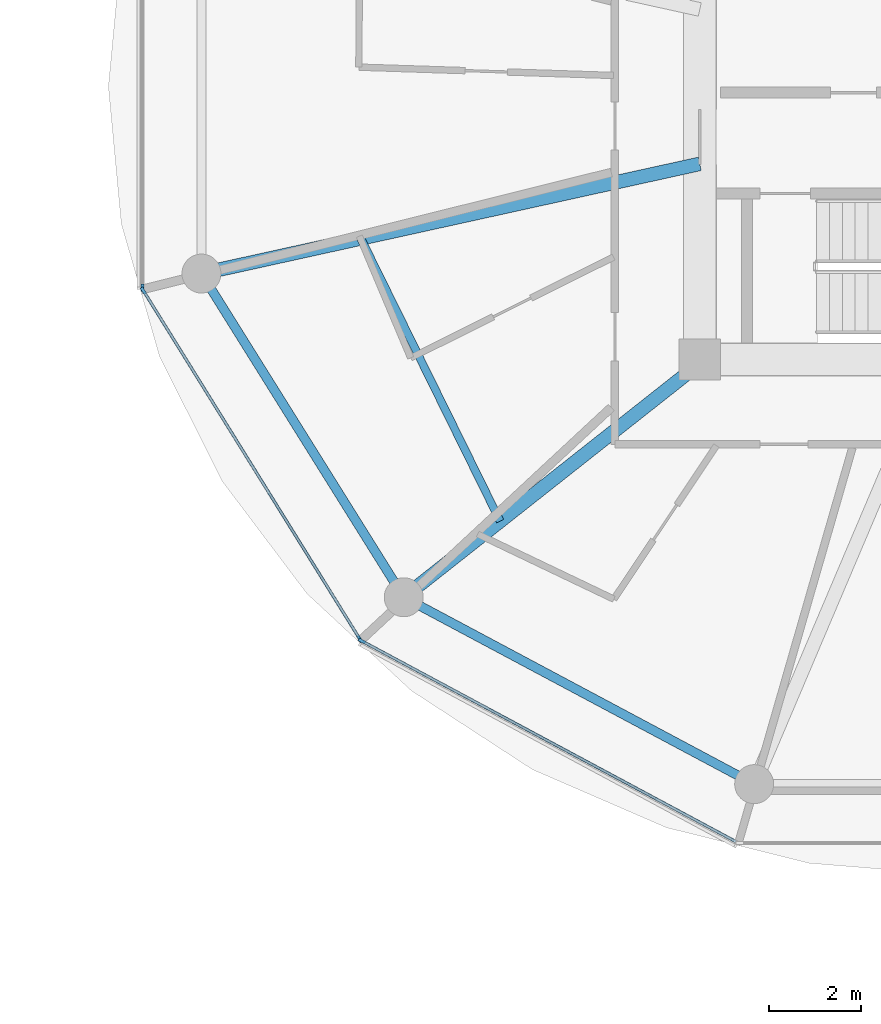
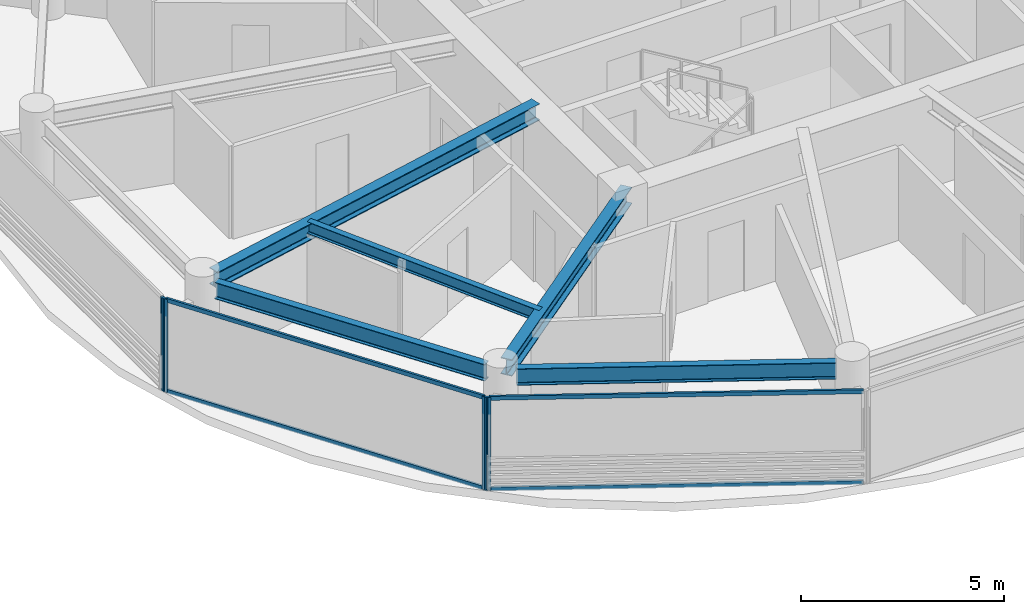
# One storey, part 6 of 24: 8 members, 5 beams, 3 elements without a shape of their own.
"""IFC4 building model written with IfcOpenShell, lengths in metres."""

from ifc_helpers import new_model, si_unit, direction, frame, origin, origin_2d, place, context, subcontext, project, spatial, rectangle, i_section, extrude, source, transform, mapped, material, layer, layer_set, material_profile, profile_set, type_object, type_shapes, element, aggregate, save


model = new_model("IFC4")

# Units and contexts
model_context = context("Model", 3, precision=1e-05, world=origin(), true_north=direction((0.0, 1.0)))
body_context = subcontext(model_context, "Body", "Model", "MODEL_VIEW")
ifc_project = project(units=[si_unit("LENGTHUNIT", "METRE"), si_unit("AREAUNIT", "SQUARE_METRE"), si_unit("VOLUMEUNIT", "CUBIC_METRE"), si_unit("PLANEANGLEUNIT", "RADIAN"), si_unit("MASSUNIT", "GRAM", prefix="KILO")], contexts=[model_context])

# Site, building, storey
site_placement = place(None, origin())
site = spatial("IfcSite", under=ifc_project, at=site_placement, CompositionType="ELEMENT")
building_placement = place(site_placement, origin())
building = spatial("IfcBuilding", under=site, at=building_placement, Name="Norrkilde Senior Care Towers", CompositionType="ELEMENT")
storey_placement = place(building_placement, frame((0.0, 0.0, 102.35009765625)))
storey = spatial("IfcBuildingStorey", under=building, at=storey_placement, Name="L31", CompositionType="ELEMENT", Elevation=102.35009765625)

# Beams
ifc_material_1 = material(Name="Steel S355", Category="steel")
ifc_material_profile_1 = material_profile(ifc_material_1, i_section(OverallWidth=0.199951171875, OverallDepth=0.5, WebThickness=0.01025390625, FlangeThickness=0.01611328125, FilletRadius=0.02099609375, at=origin_2d()), Name="IPE 500")
ifc_profile_set_1 = profile_set([ifc_material_profile_1], Name="Steel S355")
beam_type_1 = type_object("IfcBeamType", Name="Perimeter Ring Spandrel Z2 IPE500", PredefinedType="SPANDREL", material=ifc_profile_set_1)
shared_shape_1 = source(origin(), body_context, "Body", "SweptSolid", [
    extrude(i_section(OverallWidth=0.199951171875, OverallDepth=0.5, WebThickness=0.01025390625, FlangeThickness=0.01611328125, FilletRadius=0.02099609375, at=origin_2d()), origin(), (0.0, 0.0, 1.0), 7.55615234375),
])
beam_1_placement = place(storey_placement, frame((9.68505859375, -4.40283203125, 2.539794921875), z_axis=(0.529981514254, -0.848009194849, 0.0), x_axis=(0.848009194849, 0.529981514254, 0.0)))
element("IfcBeam", 1, at=beam_1_placement, inside=storey, type_object=beam_type_1, Name="L31 Drum E Perimeter Spandrel 07", PredefinedType="SPANDREL", context=body_context, shape_type="MappedRepresentation", body=[
    mapped(shared_shape_1, transform((0.0, 0.0, 0.0), x_axis=(1.0, 0.0, 0.0), y_axis=(0.0, 1.0, 0.0), z_axis=(0.0, 0.0, 1.0), scale=1.0)),
])
ifc_material_profile_2 = material_profile(ifc_material_1, i_section(OverallWidth=0.300048828125, OverallDepth=0.5, WebThickness=0.014404296875, FlangeThickness=0.028076171875, FilletRadius=0.027099609375, at=origin_2d()), Name="HEB 500")
ifc_profile_set_2 = profile_set([ifc_material_profile_2], Name="Steel S355")
beam_type_2 = type_object("IfcBeamType", Name="Radial Floor Beam Z2 HEB500", PredefinedType="BEAM", material=ifc_profile_set_2)
shared_shape_2 = source(origin(), body_context, "Body", "SweptSolid", [
    extrude(i_section(OverallWidth=0.300048828125, OverallDepth=0.5, WebThickness=0.014404296875, FlangeThickness=0.028076171875, FilletRadius=0.027099609375, at=origin_2d()), origin(), (0.0, 0.0, 1.0), 10.744384765625),
])
beam_2_placement = place(storey_placement, frame((20.35009765625, -1.683837890625, 2.539794921875), z_axis=(-0.976618711422, -0.214978818724, 0.0), x_axis=(0.214978818724, -0.976618711422, 0.0)))
element("IfcBeam", 2, at=beam_2_placement, inside=storey, type_object=beam_type_2, Name="L31 Drum E Radial Floor Beam 07", PredefinedType="BEAM", context=body_context, shape_type="MappedRepresentation", body=[
    mapped(shared_shape_2, transform((0.0, 0.0, 0.0), x_axis=(1.0, 0.0, 0.0), y_axis=(0.0, 1.0, 0.0), z_axis=(0.0, 0.0, 1.0), scale=1.0)),
])
shared_shape_3 = source(origin(), body_context, "Body", "SweptSolid", [
    extrude(i_section(OverallWidth=0.199951171875, OverallDepth=0.5, WebThickness=0.01025390625, FlangeThickness=0.01611328125, FilletRadius=0.02099609375, at=origin_2d()), origin(), (0.0, 0.0, 1.0), 7.892333984375),
])
type_shapes(beam_type_1, [shared_shape_1, shared_shape_3])
beam_3_placement = place(storey_placement, frame((14.233642578125, -11.318115234375, 2.539794921875), z_axis=(0.882350372282, -0.47059305194, 0.0), x_axis=(0.47059305194, 0.882350372282, 0.0)))
element("IfcBeam", 3, at=beam_3_placement, inside=storey, type_object=beam_type_1, Name="L31 Drum E Perimeter Spandrel 08", PredefinedType="SPANDREL", context=body_context, shape_type="MappedRepresentation", body=[
    mapped(shared_shape_3, transform((0.0, 0.0, 0.0), x_axis=(1.0, 0.0, 0.0), y_axis=(0.0, 1.0, 0.0), z_axis=(0.0, 0.0, 1.0), scale=1.0)),
])
shared_shape_4 = source(origin(), body_context, "Body", "SweptSolid", [
    extrude(i_section(OverallWidth=0.300048828125, OverallDepth=0.5, WebThickness=0.014404296875, FlangeThickness=0.028076171875, FilletRadius=0.027099609375, at=origin_2d()), origin(), (0.0, 0.0, 1.0), 7.985595703125),
])
type_shapes(beam_type_2, [shared_shape_2, shared_shape_4])
beam_4_placement = place(storey_placement, frame((20.463623046875, -5.949951171875, 2.539794921875), z_axis=(-0.784858505144, -0.619675017169, 0.0), x_axis=(0.619675017169, -0.784858505144, 0.0)))
element("IfcBeam", 4, at=beam_4_placement, inside=storey, type_object=beam_type_2, Name="L31 Drum E Radial Floor Beam 08", PredefinedType="BEAM", context=body_context, shape_type="MappedRepresentation", body=[
    mapped(shared_shape_4, transform((0.0, 0.0, 0.0), x_axis=(1.0, 0.0, 0.0), y_axis=(0.0, 1.0, 0.0), z_axis=(0.0, 0.0, 1.0), scale=1.0)),
])
ifc_material_profile_3 = material_profile(ifc_material_1, i_section(OverallWidth=0.169921875, OverallDepth=0.360107421875, WebThickness=0.008056640625, FlangeThickness=0.0126953125, FilletRadius=0.01806640625, at=origin_2d()), Name="IPE 360")
ifc_profile_set_3 = profile_set([ifc_material_profile_3], Name="Steel S355")
beam_type_3 = type_object("IfcBeamType", Name="Secondary Floor Joist IPE360", PredefinedType="JOIST", material=ifc_profile_set_3)
shared_shape_5 = source(origin(), body_context, "Body", "SweptSolid", [
    extrude(i_section(OverallWidth=0.169921875, OverallDepth=0.360107421875, WebThickness=0.008056640625, FlangeThickness=0.0126953125, FilletRadius=0.01806640625, at=origin_2d()), origin(), (0.0, 0.0, 1.0), 6.87353515625),
])
type_shapes(beam_type_3, [shared_shape_5])
beam_5_placement = place(storey_placement, frame((12.958984375, -3.310791015625, 2.60986328125), z_axis=(0.44184939592, -0.897089243791, 0.0), x_axis=(0.897089243791, 0.44184939592, 0.0)))
element("IfcBeam", 5, at=beam_5_placement, inside=storey, type_object=beam_type_3, Name="L31 Drum E Secondary Floor Joist 3", PredefinedType="JOIST", context=body_context, shape_type="MappedRepresentation", body=[
    mapped(shared_shape_5, transform((0.0, 0.0, 0.0), x_axis=(1.0, 0.0, 0.0), y_axis=(0.0, 1.0, 0.0), z_axis=(0.0, 0.0, 1.0), scale=1.0)),
])

# Curtain wall, member
ifc_material_2 = material(Name="Triple Low-E Insulated Glazing", Category="glass")
ifc_layer = layer(ifc_material_2, 0.195068359375)
ifc_layer_set = layer_set([ifc_layer], Name="Triple Low-E Insulated Glazing")
curtain_wall_type = type_object("IfcCurtainWallType", Name="CW3 Zone 2 Assisted Living Curtain Wall", PredefinedType="NOTDEFINED", material=ifc_layer_set)
curtain_wall_1_placement = place(storey_placement, origin())
curtain_wall_1 = element("IfcCurtainWall", 6, at=curtain_wall_1_placement, inside=storey, type_object=curtain_wall_type, Name="L31 Drum E Curtain Wall 05", PredefinedType="NOTDEFINED")
ifc_material_3 = material(Name="Anodised Aluminium", Category="aluminium")
ifc_material_profile_4 = material_profile(ifc_material_3, rectangle(XDim=0.06494140625, YDim=0.159912109375, at=origin_2d()), Name="ALU MULL 65x160")
ifc_profile_set_4 = profile_set([ifc_material_profile_4], Name="Anodised Aluminium")
member_type_1 = type_object("IfcMemberType", Name="Curtain Wall Mullion Z1-Z2 65x160", PredefinedType="MULLION", material=ifc_profile_set_4)
shared_shape_6 = source(origin(), body_context, "Body", "SweptSolid", [
    extrude(rectangle(XDim=0.06494140625, YDim=0.159912109375, at=origin_2d()), origin(), (0.0, 0.0, 1.0), 2.789794921875),
])
type_shapes(member_type_1, [shared_shape_6])
member_1_placement = place(storey_placement, frame((8.1962890625, -4.38818359375, 0.0), z_axis=(0.0, 0.0, 1.0), x_axis=(-1.0, 0.0, 0.0)))
member_1 = element("IfcMember", 7, at=member_1_placement, type_object=member_type_1, Name="CW-3 mullion 1", PredefinedType="MULLION", context=body_context, shape_type="MappedRepresentation", body=[
    mapped(shared_shape_6, transform((0.0, 0.0, 0.0), x_axis=(1.0, 0.0, 0.0), y_axis=(0.0, 1.0, 0.0), z_axis=(0.0, 0.0, 1.0), scale=1.0)),
])
aggregate(curtain_wall_1, [member_1])

# Curtain wall, members
curtain_wall_2_placement = place(storey_placement, origin())
curtain_wall_2 = element("IfcCurtainWall", 8, at=curtain_wall_2_placement, inside=storey, type_object=curtain_wall_type, Name="L31 Drum E Curtain Wall 06", PredefinedType="NOTDEFINED")
member_2_placement = place(storey_placement, frame((12.936279296875, -12.0498046875, 0.0), z_axis=(0.0, 0.0, 1.0), x_axis=(-0.849410171862, -0.527733228002, 0.0)))
member_2 = element("IfcMember", 9, at=member_2_placement, type_object=member_type_1, Name="CW-3 mullion 1", PredefinedType="MULLION", context=body_context, shape_type="MappedRepresentation", body=[
    mapped(shared_shape_6, transform((0.0, 0.0, 0.0), x_axis=(1.0, 0.0, 0.0), y_axis=(0.0, 1.0, 0.0), z_axis=(0.0, 0.0, 1.0), scale=1.0)),
])
member_3_placement = place(storey_placement, frame((8.21337890625, -4.4482421875, 0.0), z_axis=(0.0, 0.0, 1.0), x_axis=(-0.849410171862, -0.527733228002, 0.0)))
member_3 = element("IfcMember", 10, at=member_3_placement, type_object=member_type_1, Name="CW-3 mullion 2", PredefinedType="MULLION", context=body_context, shape_type="MappedRepresentation", body=[
    mapped(shared_shape_6, transform((0.0, 0.0, 0.0), x_axis=(1.0, 0.0, 0.0), y_axis=(0.0, 1.0, 0.0), z_axis=(0.0, 0.0, 1.0), scale=1.0)),
])

# Curtain wall, member
curtain_wall_3_placement = place(storey_placement, origin())
curtain_wall_3 = element("IfcCurtainWall", 11, at=curtain_wall_3_placement, inside=storey, type_object=curtain_wall_type, Name="L31 Drum E Curtain Wall 07", PredefinedType="NOTDEFINED")
member_4_placement = place(storey_placement, frame((12.98193359375, -12.0927734375, 0.0), z_axis=(0.0, 0.0, 1.0), x_axis=(-0.472769402511, -0.881186184668, 0.0)))
member_4 = element("IfcMember", 12, at=member_4_placement, type_object=member_type_1, Name="CW-3 mullion 2", PredefinedType="MULLION", context=body_context, shape_type="MappedRepresentation", body=[
    mapped(shared_shape_6, transform((0.0, 0.0, 0.0), x_axis=(1.0, 0.0, 0.0), y_axis=(0.0, 1.0, 0.0), z_axis=(0.0, 0.0, 1.0), scale=1.0)),
])

# Member
ifc_material_profile_5 = material_profile(ifc_material_3, rectangle(XDim=0.06005859375, YDim=0.1201171875, at=origin_2d()), Name="ALU TRAN 60x120")
ifc_profile_set_5 = profile_set([ifc_material_profile_5], Name="Anodised Aluminium")
member_type_2 = type_object("IfcMemberType", Name="Curtain Wall Transom Typical 60x120", PredefinedType="USERDEFINED", material=ifc_profile_set_5)
shared_shape_7 = source(origin(), body_context, "Body", "SweptSolid", [
    extrude(rectangle(XDim=0.06005859375, YDim=0.1201171875, at=origin_2d()), origin(), (0.0, 0.0, 1.0), 8.88427734375),
])
member_5_placement = place(storey_placement, frame((12.919189453125, -12.022216796875, 0.02978515625), z_axis=(-0.527749293309, 0.849400190377, 0.0), x_axis=(-0.849400190377, -0.527749293309, 0.0)))
member_5 = element("IfcMember", 13, at=member_5_placement, type_object=member_type_2, Name="CW-3 transom 1.1", ObjectType="TRANSOM", PredefinedType="USERDEFINED", context=body_context, shape_type="MappedRepresentation", body=[
    mapped(shared_shape_7, transform((0.0, 0.0, 0.0), x_axis=(1.0, 0.0, 0.0), y_axis=(0.0, 1.0, 0.0), z_axis=(0.0, 0.0, 1.0), scale=1.0)),
])

member_6_placement = place(storey_placement, frame((12.919189453125, -12.022216796875, 2.760009765625), z_axis=(-0.527749293309, 0.849400190377, 0.0), x_axis=(-0.849400190377, -0.527749293309, 0.0)))
member_6 = element("IfcMember", 14, at=member_6_placement, type_object=member_type_2, Name="CW-3 transom 1.2", ObjectType="TRANSOM", PredefinedType="USERDEFINED", context=body_context, shape_type="MappedRepresentation", body=[
    mapped(shared_shape_7, transform((0.0, 0.0, 0.0), x_axis=(1.0, 0.0, 0.0), y_axis=(0.0, 1.0, 0.0), z_axis=(0.0, 0.0, 1.0), scale=1.0)),
])

aggregate(curtain_wall_2, [member_2, member_3, member_5, member_6])

shared_shape_8 = source(origin(), body_context, "Body", "SweptSolid", [
    extrude(rectangle(XDim=0.06005859375, YDim=0.1201171875, at=origin_2d()), origin(), (0.0, 0.0, 1.0), 9.220458984375),
])
type_shapes(member_type_2, [shared_shape_7, shared_shape_8])
member_7_placement = place(storey_placement, frame((21.1357421875, -16.46728515625, 0.02978515625), z_axis=(-0.881188517866, 0.472765053681, 0.0), x_axis=(-0.472765053681, -0.881188517866, 0.0)))
member_7 = element("IfcMember", 15, at=member_7_placement, type_object=member_type_2, Name="CW-3 transom 1.1", ObjectType="TRANSOM", PredefinedType="USERDEFINED", context=body_context, shape_type="MappedRepresentation", body=[
    mapped(shared_shape_8, transform((0.0, 0.0, 0.0), x_axis=(1.0, 0.0, 0.0), y_axis=(0.0, 1.0, 0.0), z_axis=(0.0, 0.0, 1.0), scale=1.0)),
])

member_8_placement = place(storey_placement, frame((21.1357421875, -16.46728515625, 2.760009765625), z_axis=(-0.881188517866, 0.472765053681, 0.0), x_axis=(-0.472765053681, -0.881188517866, 0.0)))
member_8 = element("IfcMember", 16, at=member_8_placement, type_object=member_type_2, Name="CW-3 transom 1.2", ObjectType="TRANSOM", PredefinedType="USERDEFINED", context=body_context, shape_type="MappedRepresentation", body=[
    mapped(shared_shape_8, transform((0.0, 0.0, 0.0), x_axis=(1.0, 0.0, 0.0), y_axis=(0.0, 1.0, 0.0), z_axis=(0.0, 0.0, 1.0), scale=1.0)),
])

aggregate(curtain_wall_3, [member_4, member_7, member_8])

save(model, "model.ifc")
